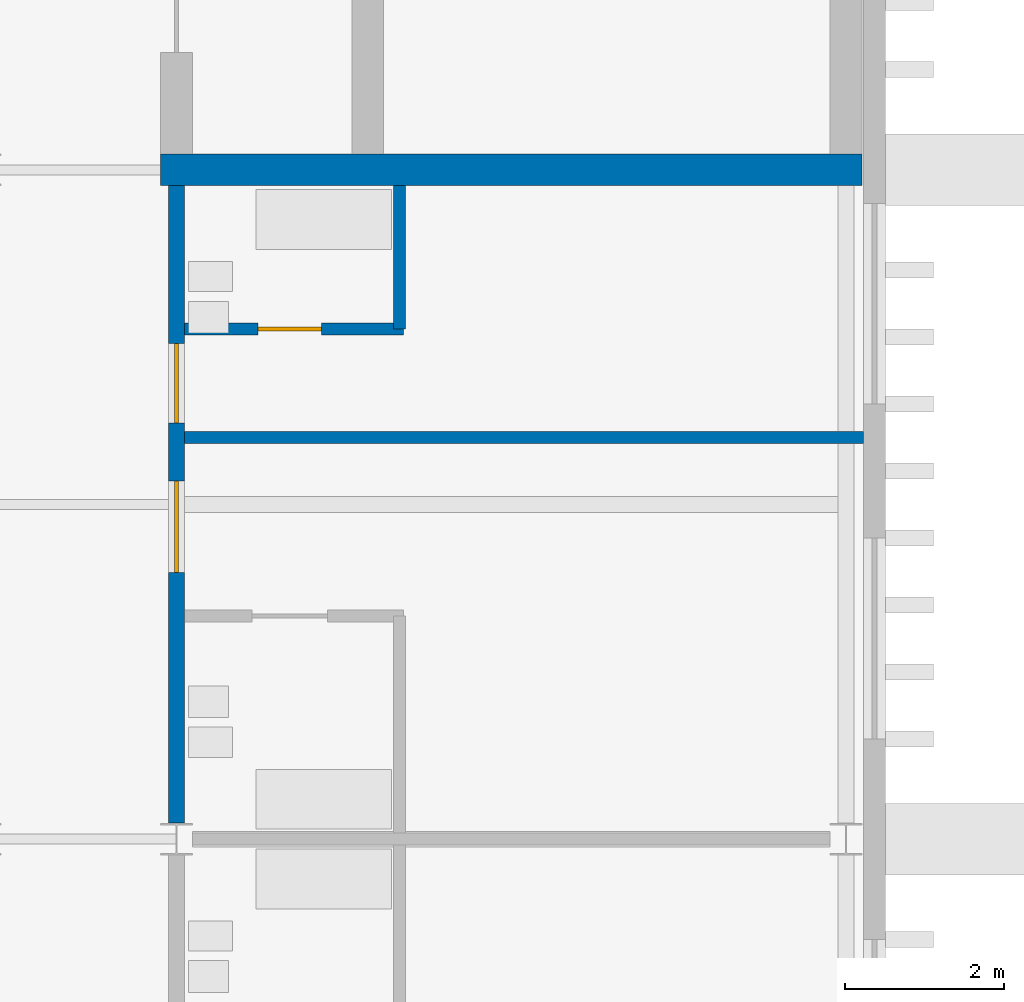
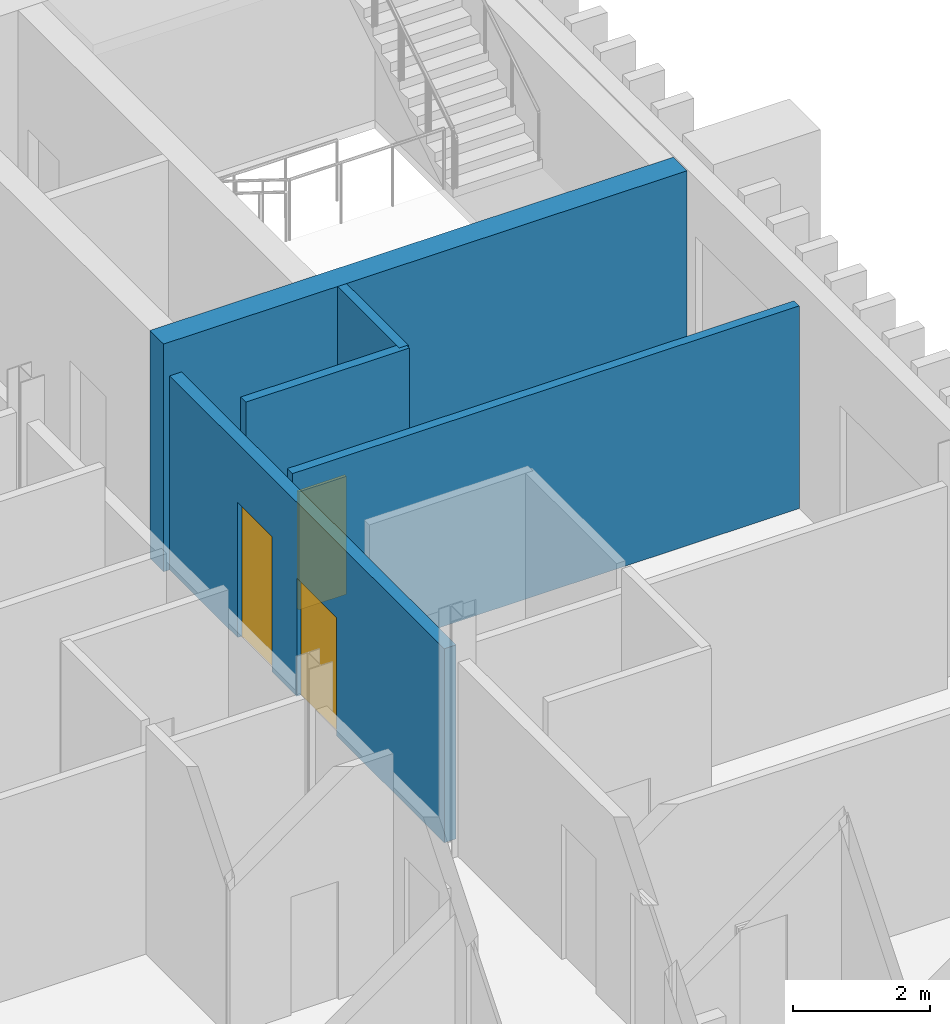
# One storey, part 16 of 20: 5 walls, 3 doors, 3 openings.
"""IFC4 building model written with IfcOpenShell, lengths in metres."""

from ifc_helpers import new_model, si_unit, direction, frame, frame_2d, origin, place, context, subcontext, project, spatial, rectangle, extrude, material, layer, layer_set, type_object, element, fill, save


model = new_model("IFC4")

# Units and contexts
model_context = context("Model", 3, precision=1e-05, world=origin(), true_north=direction((0.0, 1.0)))
body_context = subcontext(model_context, "Body", "Model", "MODEL_VIEW")
ifc_project = project(units=[si_unit("LENGTHUNIT", "METRE"), si_unit("AREAUNIT", "SQUARE_METRE"), si_unit("VOLUMEUNIT", "CUBIC_METRE"), si_unit("PLANEANGLEUNIT", "RADIAN"), si_unit("MASSUNIT", "GRAM", prefix="KILO")], contexts=[model_context])

# Site, building, storey
site_placement = place(None, origin())
site = spatial("IfcSite", under=ifc_project, at=site_placement, CompositionType="ELEMENT")
building_placement = place(site_placement, origin())
building = spatial("IfcBuilding", under=site, at=building_placement, Name="Cresset Court Congress Hotel", CompositionType="ELEMENT")
storey_placement = place(building_placement, frame((0.0, 0.0, 27.0)))
storey = spatial("IfcBuildingStorey", under=building, at=storey_placement, Name="L06", CompositionType="ELEMENT", Elevation=27.0)

# Wall, openings, doors
ifc_material_1 = material(Name="Gypsum board partition")
ifc_layer_1 = layer(ifc_material_1, 0.199951171875)
ifc_layer_set_1 = layer_set([ifc_layer_1], Name="Corridor wall 200")
wall_type_1 = type_object("IfcWallType", Name="Corridor wall 200", PredefinedType="PARTITIONING", material=ifc_layer_set_1)
wall_1_placement = place(storey_placement, frame((168.0, 50.60009765625, 0.0), z_axis=(0.0, 0.0, 1.0), x_axis=(0.0, 1.0, 0.0)))
wall_1 = element("IfcWall", 1, at=wall_1_placement, inside=storey, type_object=wall_type_1, Name="A.wl.L06.081", PredefinedType="PARTITIONING", context=body_context, shape_type="SweptSolid", body=[
    extrude(rectangle(XDim=8.0, YDim=0.199951171875, at=frame_2d((4.0, 0.0))), origin(), (0.0, 0.0, 1.0), 3.449951171875),
])
opening_1_placement = place(wall_1_placement, frame((3.14501953125, 0.0, 0.0)))
opening_1 = element("IfcOpeningElement", 2, at=opening_1_placement, cuts=wall_1, Name="Opening DA-06-46", PredefinedType="OPENING", context=body_context, shape_type="SweptSolid", body=[
    extrude(rectangle(XDim=1.14990234375, YDim=2.10009765625, at=frame_2d((0.574951171875, 1.050048828125))), frame((0.0, 0.10986328125, 0.0), z_axis=(0.0, -1.0, 0.0), x_axis=(1.0, 0.0, 0.0)), (0.0, 0.0, 1.0), 0.219970703125),
])
opening_2_placement = place(wall_1_placement, frame((5.02001953125, 0.0, 0.0)))
opening_2 = element("IfcOpeningElement", 3, at=opening_2_placement, cuts=wall_1, Name="Opening DA-06-48", PredefinedType="OPENING", context=body_context, shape_type="SweptSolid", body=[
    extrude(rectangle(XDim=1.0, YDim=2.39990234375, at=frame_2d((0.5, 1.199951171875))), frame((0.0, 0.10986328125, 0.0), z_axis=(0.0, -1.0, 0.0), x_axis=(1.0, 0.0, 0.0)), (0.0, 0.0, 1.0), 0.219970703125),
])
ifc_material_2 = material(Name="timber", Category="wood")
door_type_1 = type_object("IfcDoorType", Name="Accessible guest-room entry door 1150x2100 FD30S", OperationType="SINGLE_SWING_LEFT", PredefinedType="DOOR", material=ifc_material_2)
door_1_placement = place(opening_1_placement, origin())
door_1 = element("IfcDoor", 4, at=door_1_placement, inside=storey, type_object=door_type_1, Name="Door DA-06-46", OperationType="SINGLE_SWING_RIGHT", OverallHeight=2.10009765625, OverallWidth=1.14990234375, PredefinedType="DOOR", context=body_context, shape_type="SweptSolid", body=[
    extrude(rectangle(XDim=1.14990234375, YDim=2.10009765625, at=frame_2d((0.574951171875, 1.050048828125))), frame((0.0, 0.02490234375, 0.0), z_axis=(0.0, -1.0, 0.0), x_axis=(1.0, 0.0, 0.0)), (0.0, 0.0, 1.0), 0.050048828125),
])
fill(opening_1, door_1)
ifc_material_3 = material(Name="timber", Category="wood")
door_type_2 = type_object("IfcDoorType", Name="Guest-room entry door 1000x2400 FD30S", OperationType="SINGLE_SWING_LEFT", PredefinedType="DOOR", material=ifc_material_3)
door_2_placement = place(opening_2_placement, origin())
door_2 = element("IfcDoor", 5, at=door_2_placement, inside=storey, type_object=door_type_2, Name="Door DA-06-48", OperationType="SINGLE_SWING_LEFT", OverallHeight=2.39990234375, OverallWidth=1.0, PredefinedType="DOOR", context=body_context, shape_type="SweptSolid", body=[
    extrude(rectangle(XDim=1.0, YDim=2.39990234375, at=frame_2d((0.5, 1.199951171875))), frame((0.0, 0.02490234375, 0.0), z_axis=(0.0, -1.0, 0.0), x_axis=(1.0, 0.0, 0.0)), (0.0, 0.0, 1.0), 0.050048828125),
])
fill(opening_2, door_2)

# Wall
ifc_material_4 = material(Name="Gypsum board partition")
ifc_layer_2 = layer(ifc_material_4, 0.14990234375)
ifc_layer_set_2 = layer_set([ifc_layer_2], Name="En-suite wall 150")
wall_type_2 = type_object("IfcWallType", Name="En-suite wall 150", PredefinedType="PARTITIONING", material=ifc_layer_set_2)
wall_2_placement = place(storey_placement, frame((170.800048828125, 56.800048828125, 0.0), z_axis=(0.0, 0.0, 1.0), x_axis=(0.0, 1.0, 0.0)))
element("IfcWall", 6, at=wall_2_placement, inside=storey, type_object=wall_type_2, Name="A.wl.L06.047", PredefinedType="PARTITIONING", context=body_context, shape_type="SweptSolid", body=[
    extrude(rectangle(XDim=1.800048828125, YDim=0.14990234375, at=frame_2d((0.89990234375, 0.0))), origin(), (0.0, 0.0, 1.0), 4.050048828125),
])

# Wall, opening, door
wall_3_placement = place(storey_placement, frame((170.85009765625, 56.800048828125, 0.0), z_axis=(0.0, 0.0, 1.0), x_axis=(-1.0, 0.0, 0.0)))
wall_3 = element("IfcWall", 7, at=wall_3_placement, inside=storey, type_object=wall_type_2, Name="A.wl.L06.048", PredefinedType="PARTITIONING", context=body_context, shape_type="SweptSolid", body=[
    extrude(rectangle(XDim=2.75, YDim=0.14990234375, at=frame_2d((1.375, 0.0))), origin(), (0.0, 0.0, 1.0), 4.050048828125),
])
opening_3_placement = place(wall_3_placement, frame((1.030029296875, 0.0, 0.0)))
opening_3 = element("IfcOpeningElement", 8, at=opening_3_placement, cuts=wall_3, Name="Opening DA-06-47", PredefinedType="OPENING", context=body_context, shape_type="SweptSolid", body=[
    extrude(rectangle(XDim=0.800048828125, YDim=2.10009765625, at=frame_2d((0.39990234375, 1.050048828125))), frame((0.0, 0.0849609375, 0.0), z_axis=(0.0, -1.0, 0.0), x_axis=(1.0, 0.0, 0.0)), (0.0, 0.0, 1.0), 0.169921875),
])
ifc_material_5 = material(Name="timber", Category="wood")
door_type_3 = type_object("IfcDoorType", Name="En-suite door 800x2100", OperationType="SINGLE_SWING_LEFT", PredefinedType="DOOR", material=ifc_material_5)
door_3_placement = place(opening_3_placement, origin())
door_3 = element("IfcDoor", 9, at=door_3_placement, inside=storey, type_object=door_type_3, Name="Door DA-06-47", OperationType="SINGLE_SWING_LEFT", OverallHeight=2.10009765625, OverallWidth=0.800048828125, PredefinedType="DOOR", context=body_context, shape_type="SweptSolid", body=[
    extrude(rectangle(XDim=0.800048828125, YDim=2.10009765625, at=frame_2d((0.39990234375, 1.050048828125))), frame((0.0, 0.02490234375, 0.0), z_axis=(0.0, -1.0, 0.0), x_axis=(1.0, 0.0, 0.0)), (0.0, 0.0, 1.0), 0.050048828125),
])
fill(opening_3, door_3)

# Walls
ifc_material_6 = material(Name="Gypsum board partition")
ifc_layer_3 = layer(ifc_material_6, 0.14990234375)
ifc_layer_set_3 = layer_set([ifc_layer_3], Name="Guest-room partition 150")
wall_type_3 = type_object("IfcWallType", Name="Guest-room partition 150", PredefinedType="PARTITIONING", material=ifc_layer_set_3)
wall_4_placement = place(storey_placement, frame((168.10009765625, 55.43994140625, 0.0), z_axis=(0.0, 0.0, 1.0), x_axis=(1.0, 0.0, 0.0)))
element("IfcWall", 10, at=wall_4_placement, inside=storey, type_object=wall_type_3, Name="A.wl.L06.069", PredefinedType="PARTITIONING", context=body_context, shape_type="SweptSolid", body=[
    extrude(rectangle(XDim=8.52001953125, YDim=0.14990234375, at=frame_2d((4.260009765625, 0.0))), origin(), (0.0, 0.0, 1.0), 3.60400390625),
])
ifc_material_7 = material(Name="Concrete C50", Category="concrete")
ifc_layer_4 = layer(ifc_material_7, 0.39990234375)
ifc_layer_set_4 = layer_set([ifc_layer_4], Name="Stair core wall 400")
wall_type_4 = type_object("IfcWallType", Name="Stair core wall 400", PredefinedType="SOLIDWALL", material=ifc_layer_set_4)
wall_5_placement = place(storey_placement, frame((167.800048828125, 58.800048828125, 0.0), z_axis=(0.0, 0.0, 1.0), x_axis=(1.0, 0.0, 0.0)))
element("IfcWall", 11, at=wall_5_placement, inside=storey, type_object=wall_type_4, Name="A.cw.ST-A2.L06.S", PredefinedType="SOLIDWALL", context=body_context, shape_type="SweptSolid", body=[
    extrude(rectangle(XDim=8.800048828125, YDim=0.39990234375, at=frame_2d((4.39990234375, 0.0))), origin(), (0.0, 0.0, 1.0), 4.050048828125),
])

save(model, "model.ifc")
